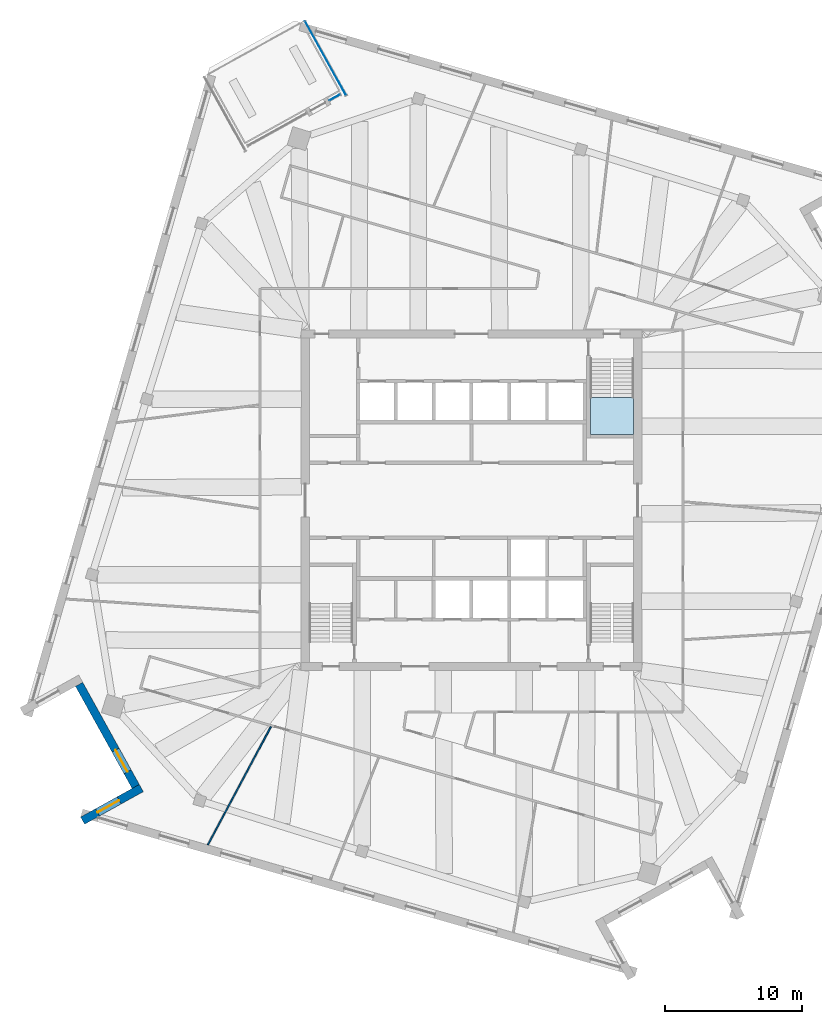
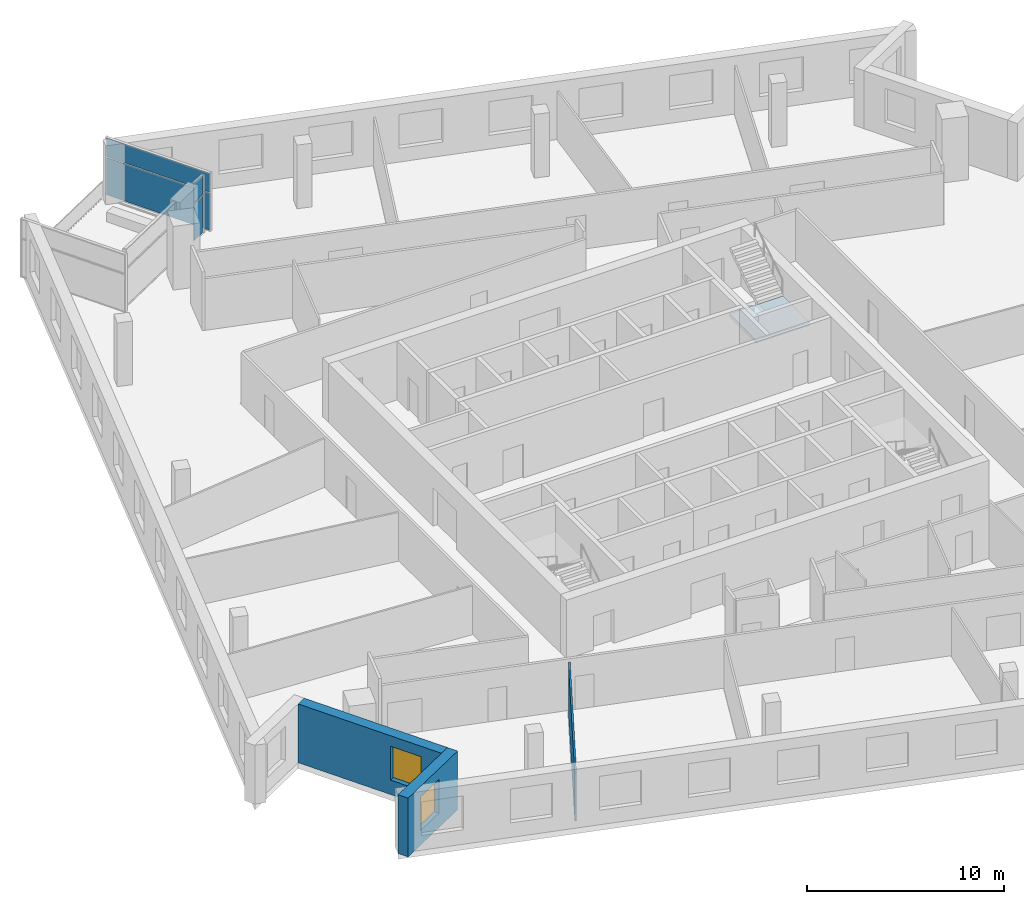
# One storey, part 6 of 15: 4 plates, 3 walls, 2 windows, 1 slab, 2 openings, 3 elements without a shape of their own.
"""IFC4 building model written with IfcOpenShell, lengths in metres."""

from ifc_helpers import new_model, si_unit, direction, frame, frame_2d, origin, origin_2d, place, context, subcontext, project, spatial, polyline, rectangle, outline, extrude, material, layer, layer_set, type_object, element, fill, aggregate, save


model = new_model("IFC4")

# Units and contexts
model_context = context("Model", 3, precision=1e-05, world=origin(), true_north=direction((0.0, 1.0)))
body_context = subcontext(model_context, "Body", "Model", "MODEL_VIEW")
ifc_project = project(units=[si_unit("LENGTHUNIT", "METRE"), si_unit("AREAUNIT", "SQUARE_METRE"), si_unit("VOLUMEUNIT", "CUBIC_METRE"), si_unit("PLANEANGLEUNIT", "RADIAN"), si_unit("MASSUNIT", "GRAM", prefix="KILO")], contexts=[model_context])

# Site, building, storey
site_placement = place(None, origin())
site = spatial("IfcSite", under=ifc_project, at=site_placement, CompositionType="ELEMENT")
building_placement = place(site_placement, origin())
building = spatial("IfcBuilding", under=site, at=building_placement, Name="Dilmun Exchange Tower", CompositionType="ELEMENT")
storey_placement = place(building_placement, frame((0.0, 0.0, 328.5)))
storey = spatial("IfcBuildingStorey", under=building, at=storey_placement, Name="L78", CompositionType="ELEMENT", Elevation=328.5)

# Stair, slab
ifc_material_1 = material(Name="Concrete C40/50", Category="concrete")
stair_type = type_object("IfcStairType", Name="Exit stair 1500 half-turn", PredefinedType="HALF_TURN_STAIR", material=ifc_material_1)
stair_placement = place(storey_placement, origin())
stair = element("IfcStair", 1, at=stair_placement, inside=storey, type_object=stair_type, Name="L78 Protected exit stair ST1", PredefinedType="HALF_TURN_STAIR")
ifc_layer_1 = layer(ifc_material_1, 0.199951171875)
ifc_layer_set_1 = layer_set([ifc_layer_1], Name="Concrete C40/50")
slab_type = type_object("IfcSlabType", Name="Exit stair landing 200", PredefinedType="LANDING", material=ifc_layer_set_1)
slab_placement = place(storey_placement, frame((0.0, 0.0, 1.800048828125)))
slab = element("IfcSlab", 2, at=slab_placement, type_object=slab_type, Name="ST1 landing 1", PredefinedType="LANDING", context=body_context, shape_type="SweptSolid", body=[
    extrude(outline(polyline([(8.64990234375, 7.5), (8.64990234375, 4.800048828125), (11.800048828125, 4.800048828125), (11.800048828125, 7.5), (8.64990234375, 7.5)])), origin(), (0.0, 0.0, 1.0), 0.199951171875),
])
aggregate(stair, [slab])

# Curtain wall, plates
ifc_material_2 = material(Name="Anodised aluminium and clear glass", Category="aluminium")
curtain_wall_type = type_object("IfcCurtainWallType", Name="Garden corner glazing", PredefinedType="NOTDEFINED", material=ifc_material_2)
curtain_wall_1_placement = place(storey_placement, origin())
curtain_wall_1 = element("IfcCurtainWall", 3, at=curtain_wall_1_placement, inside=storey, type_object=curtain_wall_type, Name="Garden corner glazing run GC1.1", PredefinedType="NOTDEFINED")
ifc_material_3 = material(Name="Clear glass", Category="glass")
ifc_layer_2 = layer(ifc_material_3, 0.028076171875)
ifc_layer_set_2 = layer_set([ifc_layer_2], Name="Clear glass")
plate_type = type_object("IfcPlateType", Name="Garden corner glazing glass panel 28", PredefinedType="CURTAIN_PANEL", material=ifc_layer_set_2)
plate_1_placement = place(storey_placement, frame((-10.621337890625, 32.177734375, 0.06005859375), z_axis=(0.0, 0.0, 1.0), x_axis=(0.484802683833, -0.87462355202, 0.0)))
plate_1 = element("IfcPlate", 4, at=plate_1_placement, type_object=plate_type, Name="GC1.1 panel 1.1", PredefinedType="CURTAIN_PANEL", context=body_context, shape_type="SweptSolid", body=[
    extrude(rectangle(XDim=6.12646484375, YDim=0.028076171875, at=origin_2d()), origin(), (0.0, 0.0, 1.0), 2.31005859375),
])
plate_2_placement = place(storey_placement, frame((-10.621337890625, 32.177734375, 2.43017578125), z_axis=(0.0, 0.0, 1.0), x_axis=(0.484802683833, -0.87462355202, 0.0)))
plate_2 = element("IfcPlate", 5, at=plate_2_placement, type_object=plate_type, Name="GC1.1 panel 1.2", PredefinedType="CURTAIN_PANEL", context=body_context, shape_type="SweptSolid", body=[
    extrude(rectangle(XDim=6.12646484375, YDim=0.028076171875, at=origin_2d()), origin(), (0.0, 0.0, 1.0), 1.159912109375),
])
aggregate(curtain_wall_1, [plate_1, plate_2])

curtain_wall_2_placement = place(storey_placement, origin())
curtain_wall_2 = element("IfcCurtainWall", 6, at=curtain_wall_2_placement, inside=storey, type_object=curtain_wall_type, Name="Garden corner glazing run GC2.1", PredefinedType="NOTDEFINED")
plate_3_placement = place(storey_placement, frame((-9.94775390625, 29.323486328125, 0.06005859375), z_axis=(0.0, 0.0, 1.0), x_axis=(-0.874633751058, -0.484784283481, 0.0)))
plate_3 = element("IfcPlate", 7, at=plate_3_placement, type_object=plate_type, Name="GC2.1 panel 1.1", PredefinedType="CURTAIN_PANEL", context=body_context, shape_type="SweptSolid", body=[
    extrude(rectangle(XDim=0.869140625, YDim=0.028076171875, at=origin_2d()), origin(), (0.0, 0.0, 1.0), 2.31005859375),
])
plate_4_placement = place(storey_placement, frame((-9.94775390625, 29.323486328125, 2.43017578125), z_axis=(0.0, 0.0, 1.0), x_axis=(-0.874633751058, -0.484784283481, 0.0)))
plate_4 = element("IfcPlate", 8, at=plate_4_placement, type_object=plate_type, Name="GC2.1 panel 1.2", PredefinedType="CURTAIN_PANEL", context=body_context, shape_type="SweptSolid", body=[
    extrude(rectangle(XDim=0.869140625, YDim=0.028076171875, at=origin_2d()), origin(), (0.0, 0.0, 1.0), 1.159912109375),
])
aggregate(curtain_wall_2, [plate_3, plate_4])

# Wall
ifc_material_4 = material(Name="Partition 100")
ifc_layer_3 = layer(ifc_material_4, 0.10009765625)
ifc_layer_set_3 = layer_set([ifc_layer_3], Name="Partition 100")
wall_type_1 = type_object("IfcWallType", Name="Partition 100", PredefinedType="PARTITIONING", material=ifc_layer_set_3)
wall_1_placement = place(storey_placement, frame((-19.18994140625, -25.080078125, 0.0), z_axis=(0.0, 0.0, 1.0), x_axis=(0.471201621995, 0.882025527652, 0.0)))
element("IfcWall", 9, at=wall_1_placement, inside=storey, type_object=wall_type_1, Name="Partition", PredefinedType="PARTITIONING", context=body_context, shape_type="SweptSolid", body=[
    extrude(rectangle(XDim=9.7490234375, YDim=0.10009765625, at=frame_2d((4.87451171875, 0.0))), origin(), (0.0, 0.0, 1.0), 3.050048828125),
])

# Wall, opening, window
ifc_material_5 = material(Name="Precast concrete C50/60", Category="concrete")
ifc_layer_4 = layer(ifc_material_5, 0.60009765625)
ifc_layer_set_4 = layer_set([ifc_layer_4], Name="Precast concrete C50/60")
wall_type_2 = type_object("IfcWallType", Name="Precast stone-clad wall 600", PredefinedType="STANDARD", material=ifc_layer_set_4)
wall_2_placement = place(storey_placement, frame((-28.555908203125, -13.39501953125, 0.0), z_axis=(0.0, 0.0, 1.0), x_axis=(0.48481597855, -0.874616182644, 0.0)))
wall_2 = element("IfcWall", 10, at=wall_2_placement, inside=storey, type_object=wall_type_2, Name="Facade wall L78-05", PredefinedType="STANDARD", context=body_context, shape_type="SweptSolid", body=[
    extrude(rectangle(XDim=8.499755859375, YDim=0.60009765625, at=frame_2d((4.25, 0.0))), origin(), (0.0, 0.0, 1.0), 3.64990234375),
])
opening_1_placement = place(wall_2_placement, frame((5.47509765625, 0.0, 0.89990234375)))
opening_1 = element("IfcOpeningElement", 11, at=opening_1_placement, cuts=wall_2, Name="Opening W180-210", PredefinedType="OPENING", context=body_context, shape_type="SweptSolid", body=[
    extrude(rectangle(XDim=1.800048828125, YDim=2.10009765625, at=frame_2d((0.89990234375, 1.050048828125))), frame((0.0, 0.31005859375, 0.0), z_axis=(0.0, -1.0, 0.0), x_axis=(1.0, 0.0, 0.0)), (0.0, 0.0, 1.0), 0.6201171875),
])
ifc_material_6 = material(Name="Clear low-emissivity glass in aluminium frame", Category="aluminium")
window_type = type_object("IfcWindowType", Name="Punched window 1800 x 2100", PartitioningType="DOUBLE_PANEL_VERTICAL", PredefinedType="WINDOW", material=ifc_material_6)
window_1_placement = place(opening_1_placement, origin())
window_1 = element("IfcWindow", 12, at=window_1_placement, inside=storey, type_object=window_type, Name="Window 6.2", OverallHeight=2.10009765625, OverallWidth=1.800048828125, PartitioningType="SINGLE_PANEL", PredefinedType="WINDOW", context=body_context, shape_type="SweptSolid", body=[
    extrude(rectangle(XDim=1.800048828125, YDim=2.10009765625, at=frame_2d((0.89990234375, 1.050048828125))), frame((0.0, 0.030029296875, 0.0), z_axis=(0.0, -1.0, 0.0), x_axis=(1.0, 0.0, 0.0)), (0.0, 0.0, 1.0), 0.06005859375),
])
fill(opening_1, window_1)

wall_3_placement = place(storey_placement, frame((-24.027099609375, -20.9462890625, 0.0), z_axis=(0.0, 0.0, 1.0), x_axis=(-0.874642406439, -0.484768667364, 0.0)))
wall_3 = element("IfcWall", 13, at=wall_3_placement, inside=storey, type_object=wall_type_2, Name="Facade wall L78-06", PredefinedType="STANDARD", context=body_context, shape_type="SweptSolid", body=[
    extrude(rectangle(XDim=4.8857421875, YDim=0.60009765625, at=frame_2d((2.44287109375, 0.0))), origin(), (0.0, 0.0, 1.0), 3.64990234375),
])
opening_2_placement = place(wall_3_placement, frame((1.8427734375, 0.0, 0.89990234375)))
opening_2 = element("IfcOpeningElement", 14, at=opening_2_placement, cuts=wall_3, Name="Opening W180-210", PredefinedType="OPENING", context=body_context, shape_type="SweptSolid", body=[
    extrude(rectangle(XDim=1.800048828125, YDim=2.10009765625, at=frame_2d((0.89990234375, 1.050048828125))), frame((0.0, 0.31005859375, 0.0), z_axis=(0.0, -1.0, 0.0), x_axis=(1.0, 0.0, 0.0)), (0.0, 0.0, 1.0), 0.6201171875),
])
window_2_placement = place(opening_2_placement, origin())
window_2 = element("IfcWindow", 15, at=window_2_placement, inside=storey, type_object=window_type, Name="Window 7.1", OverallHeight=2.10009765625, OverallWidth=1.800048828125, PartitioningType="SINGLE_PANEL", PredefinedType="WINDOW", context=body_context, shape_type="SweptSolid", body=[
    extrude(rectangle(XDim=1.800048828125, YDim=2.10009765625, at=frame_2d((0.89990234375, 1.050048828125))), frame((0.0, 0.030029296875, 0.0), z_axis=(0.0, -1.0, 0.0), x_axis=(1.0, 0.0, 0.0)), (0.0, 0.0, 1.0), 0.06005859375),
])
fill(opening_2, window_2)

save(model, "model.ifc")
